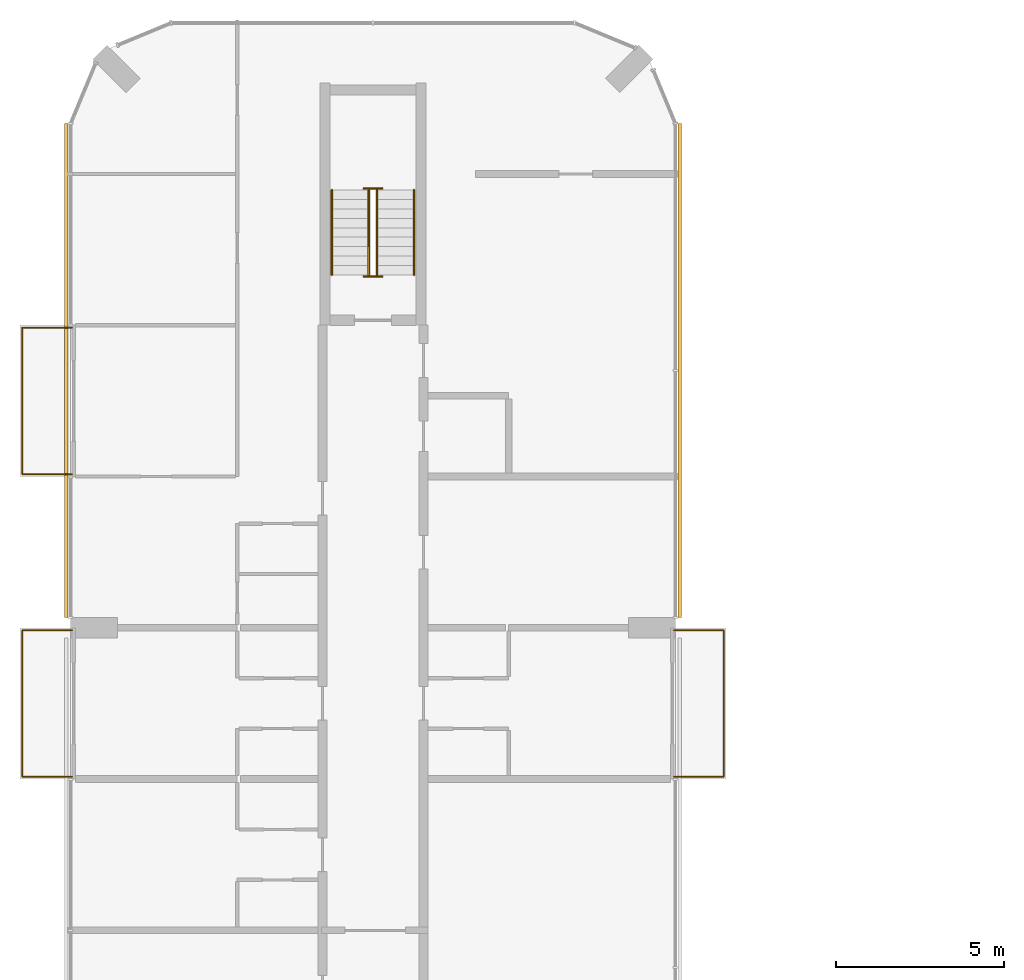
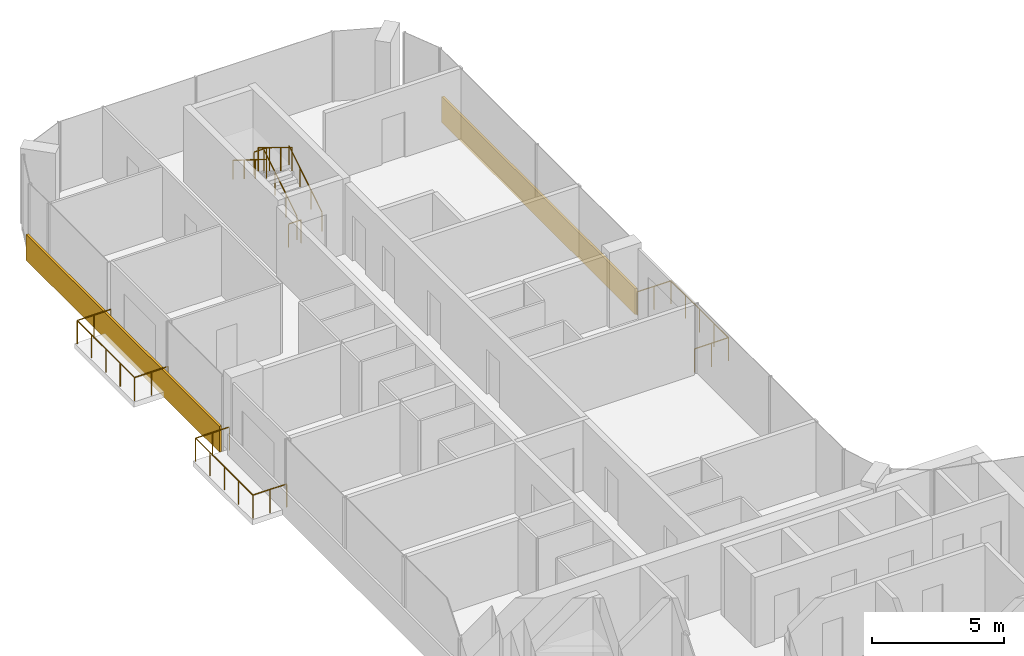
# One storey, part 15 of 15: 9 railings, 2 coverings.
"""IFC4 building model written with IfcOpenShell, lengths in metres."""

from ifc_helpers import new_model, si_unit, direction, frame, origin, origin_2d, place, context, subcontext, project, spatial, rectangle, circle, extrude, material, layer, layer_set, type_object, element, save


model = new_model("IFC4")

# Units and contexts
model_context = context("Model", 3, precision=1e-05, world=origin(), true_north=direction((0.0, 1.0)))
body_context = subcontext(model_context, "Body", "Model", "MODEL_VIEW")
ifc_project = project(units=[si_unit("LENGTHUNIT", "METRE"), si_unit("AREAUNIT", "SQUARE_METRE"), si_unit("VOLUMEUNIT", "CUBIC_METRE"), si_unit("PLANEANGLEUNIT", "RADIAN"), si_unit("MASSUNIT", "GRAM", prefix="KILO")], contexts=[model_context])

# Site, building, storey
site_placement = place(None, origin())
site = spatial("IfcSite", under=ifc_project, at=site_placement, CompositionType="ELEMENT")
building_placement = place(site_placement, origin())
building = spatial("IfcBuilding", under=site, at=building_placement, Name="Plateau Cross Towers", CompositionType="ELEMENT")
storey_placement = place(building_placement, frame((0.0, 0.0, 194.39990234375)))
storey = spatial("IfcBuildingStorey", under=building, at=storey_placement, Name="L50", CompositionType="ELEMENT", Elevation=194.39990234375)

# Railings
ifc_material_1 = material(Name="Stainless steel and toughened glass", Category="steel")
railing_type_1 = type_object("IfcRailingType", Name="Glass balustrade guard 1100", PredefinedType="GUARDRAIL", material=ifc_material_1)
for number, where, name in (
    (1, (0.050048828125, 31.570068359375, 0.0), "Guard guard1"),
    (2, (0.050048828125, 40.570068359375, 0.0), "Guard guard1"),
):
    element("IfcRailing", number, at=place(storey_placement, frame(where)), inside=storey, type_object=railing_type_1, Name=name, PredefinedType="GUARDRAIL", context=body_context, shape_type="SweptSolid", body=[
        extrude(circle(Radius=0.02392578125, at=origin_2d()), frame((0.0, 0.0, 1.076171875), z_axis=(-1.0, 0.0, 0.0), x_axis=(0.0, -1.0, 0.0)), (0.0, 0.0, 1.0), 1.47998046875),
        extrude(circle(Radius=0.02392578125, at=origin_2d()), frame((-1.47998046875, 0.0, 1.076171875), z_axis=(0.0, 1.0, 0.0), x_axis=(-1.0, 0.0, 0.0)), (0.0, 0.0, 1.0), 4.35986328125),
        extrude(circle(Radius=0.02392578125, at=origin_2d()), frame((-1.47998046875, 4.35986328125, 1.076171875), z_axis=(1.0, 0.0, 0.0), x_axis=(0.0, 1.0, 0.0)), (0.0, 0.0, 1.0), 1.47998046875),
        extrude(circle(Radius=0.02099609375, at=origin_2d()), origin(), (0.0, 0.0, 1.0), 1.052001953125),
        extrude(circle(Radius=0.02099609375, at=origin_2d()), frame((-0.739990234375, 0.0, 0.0)), (0.0, 0.0, 1.0), 1.052001953125),
        extrude(circle(Radius=0.02099609375, at=origin_2d()), frame((-1.47998046875, 0.0, 0.0)), (0.0, 0.0, 1.0), 1.052001953125),
        extrude(circle(Radius=0.02099609375, at=origin_2d()), frame((-1.47998046875, 1.08984375, 0.0)), (0.0, 0.0, 1.0), 1.052001953125),
        extrude(circle(Radius=0.02099609375, at=origin_2d()), frame((-1.47998046875, 2.179931640625, 0.0)), (0.0, 0.0, 1.0), 1.052001953125),
        extrude(circle(Radius=0.02099609375, at=origin_2d()), frame((-1.47998046875, 3.27001953125, 0.0)), (0.0, 0.0, 1.0), 1.052001953125),
        extrude(circle(Radius=0.02099609375, at=origin_2d()), frame((-1.47998046875, 4.35986328125, 0.0)), (0.0, 0.0, 1.0), 1.052001953125),
        extrude(circle(Radius=0.02099609375, at=origin_2d()), frame((-0.739990234375, 4.35986328125, 0.0)), (0.0, 0.0, 1.0), 1.052001953125),
        extrude(circle(Radius=0.02099609375, at=origin_2d()), frame((0.0, 4.35986328125, 0.0)), (0.0, 0.0, 1.0), 1.052001953125),
    ])
railing_1_placement = place(storey_placement, frame((17.949951171875, 35.929931640625, 0.0)))
element("IfcRailing", 3, at=railing_1_placement, inside=storey, type_object=railing_type_1, Name="Guard guard1", PredefinedType="GUARDRAIL", context=body_context, shape_type="SweptSolid", body=[
    extrude(circle(Radius=0.02392578125, at=origin_2d()), frame((0.0, 0.0, 1.076171875), z_axis=(1.0, 0.0, 0.0), x_axis=(0.0, 1.0, 0.0)), (0.0, 0.0, 1.0), 1.47998046875),
    extrude(circle(Radius=0.02392578125, at=origin_2d()), frame((1.47998046875, 0.0, 1.076171875), z_axis=(0.0, -1.0, 0.0), x_axis=(1.0, 0.0, 0.0)), (0.0, 0.0, 1.0), 4.35986328125),
    extrude(circle(Radius=0.02392578125, at=origin_2d()), frame((1.47998046875, -4.35986328125, 1.076171875), z_axis=(-1.0, 0.0, 0.0), x_axis=(0.0, -1.0, 0.0)), (0.0, 0.0, 1.0), 1.47998046875),
    extrude(circle(Radius=0.02099609375, at=origin_2d()), origin(), (0.0, 0.0, 1.0), 1.052001953125),
    extrude(circle(Radius=0.02099609375, at=origin_2d()), frame((0.739990234375, 0.0, 0.0)), (0.0, 0.0, 1.0), 1.052001953125),
    extrude(circle(Radius=0.02099609375, at=origin_2d()), frame((1.47998046875, 0.0, 0.0)), (0.0, 0.0, 1.0), 1.052001953125),
    extrude(circle(Radius=0.02099609375, at=origin_2d()), frame((1.47998046875, -1.08984375, 0.0)), (0.0, 0.0, 1.0), 1.052001953125),
    extrude(circle(Radius=0.02099609375, at=origin_2d()), frame((1.47998046875, -2.179931640625, 0.0)), (0.0, 0.0, 1.0), 1.052001953125),
    extrude(circle(Radius=0.02099609375, at=origin_2d()), frame((1.47998046875, -3.27001953125, 0.0)), (0.0, 0.0, 1.0), 1.052001953125),
    extrude(circle(Radius=0.02099609375, at=origin_2d()), frame((1.47998046875, -4.35986328125, 0.0)), (0.0, 0.0, 1.0), 1.052001953125),
    extrude(circle(Radius=0.02099609375, at=origin_2d()), frame((0.739990234375, -4.35986328125, 0.0)), (0.0, 0.0, 1.0), 1.052001953125),
    extrude(circle(Radius=0.02099609375, at=origin_2d()), frame((0.0, -4.35986328125, 0.0)), (0.0, 0.0, 1.0), 1.052001953125),
])
railing_type_2 = type_object("IfcRailingType", Name="RL-GUARD-1100", PredefinedType="GUARDRAIL", material=ifc_material_1)
railing_2_placement = place(storey_placement, frame((9.125, 46.5, 0.175048828125)))
element("IfcRailing", 4, at=railing_2_placement, inside=storey, type_object=railing_type_2, Name="L50 ES-N stair guard 1", PredefinedType="GUARDRAIL", context=body_context, shape_type="SweptSolid", body=[
    extrude(circle(Radius=0.02392578125, at=origin_2d()), frame((0.0, 0.0, 1.076171875), z_axis=(0.0, 0.848007534815, 0.529984170421), x_axis=(-1.0, 0.0, 0.0)), (0.0, 0.0, 1.0), 2.9716796875),
    extrude(circle(Radius=0.02099609375, at=origin_2d()), origin(), (0.0, 0.0, 1.0), 1.052001953125),
    extrude(circle(Radius=0.02099609375, at=origin_2d()), frame((0.0, 0.840087890625, 0.52490234375)), (0.0, 0.0, 1.0), 1.052001953125),
    extrude(circle(Radius=0.02099609375, at=origin_2d()), frame((0.0, 1.679931640625, 1.050048828125)), (0.0, 0.0, 1.0), 1.052001953125),
    extrude(circle(Radius=0.02099609375, at=origin_2d()), frame((0.0, 2.52001953125, 1.574951171875)), (0.0, 0.0, 1.0), 1.052001953125),
])
railing_3_placement = place(storey_placement, frame((9.27490234375, 49.070068359375, 1.75)))
element("IfcRailing", 5, at=railing_3_placement, inside=storey, type_object=railing_type_2, Name="L50 ES-N stair guard 2", PredefinedType="GUARDRAIL", context=body_context, shape_type="SweptSolid", body=[
    extrude(circle(Radius=0.02392578125, at=origin_2d()), frame((0.0, 0.0, 1.076171875), z_axis=(-1.0, 0.0, 0.0), x_axis=(0.0, -1.0, 0.0)), (0.0, 0.0, 1.0), 0.5498046875),
    extrude(circle(Radius=0.02099609375, at=origin_2d()), origin(), (0.0, 0.0, 1.0), 1.052001953125),
    extrude(circle(Radius=0.02099609375, at=origin_2d()), frame((-0.5498046875, 0.0, 0.0)), (0.0, 0.0, 1.0), 1.052001953125),
])
railing_4_placement = place(storey_placement, frame((8.875, 49.02001953125, 1.925048828125)))
element("IfcRailing", 6, at=railing_4_placement, inside=storey, type_object=railing_type_2, Name="L50 ES-N stair guard 3", PredefinedType="GUARDRAIL", context=body_context, shape_type="SweptSolid", body=[
    extrude(circle(Radius=0.02392578125, at=origin_2d()), frame((0.0, 0.0, 1.076171875), z_axis=(0.0, -0.852638500773, 0.522501279423), x_axis=(1.0, 0.0, 0.0)), (0.0, 0.0, 1.0), 3.01416015625),
    extrude(circle(Radius=0.02099609375, at=origin_2d()), origin(), (0.0, 0.0, 1.0), 1.052001953125),
    extrude(circle(Radius=0.02099609375, at=origin_2d()), frame((0.0, -0.856689453125, 0.52490234375)), (0.0, 0.0, 1.0), 1.052001953125),
    extrude(circle(Radius=0.02099609375, at=origin_2d()), frame((0.0, -1.71337890625, 1.050048828125)), (0.0, 0.0, 1.0), 1.052001953125),
    extrude(circle(Radius=0.02099609375, at=origin_2d()), frame((0.0, -2.570068359375, 1.574951171875)), (0.0, 0.0, 1.0), 1.052001953125),
])
railing_5_placement = place(storey_placement, frame((9.27490234375, 46.449951171875, 0.0)))
element("IfcRailing", 7, at=railing_5_placement, inside=storey, type_object=railing_type_2, Name="L50 ES-N stair guard 4", PredefinedType="GUARDRAIL", context=body_context, shape_type="SweptSolid", body=[
    extrude(circle(Radius=0.02392578125, at=origin_2d()), frame((0.0, 0.0, 1.076171875), z_axis=(-1.0, 0.0, 0.0), x_axis=(0.0, -1.0, 0.0)), (0.0, 0.0, 1.0), 0.5498046875),
    extrude(circle(Radius=0.02099609375, at=origin_2d()), origin(), (0.0, 0.0, 1.0), 1.052001953125),
    extrude(circle(Radius=0.02099609375, at=origin_2d()), frame((-0.5498046875, 0.0, 0.0)), (0.0, 0.0, 1.0), 1.052001953125),
])
ifc_material_2 = material(Name="Black anodised aluminium", Category="aluminium")
railing_type_3 = type_object("IfcRailingType", Name="RL-HANDRAIL-900", PredefinedType="HANDRAIL", material=ifc_material_2)
railing_6_placement = place(storey_placement, frame((10.22509765625, 46.5, 0.175048828125)))
element("IfcRailing", 8, at=railing_6_placement, inside=storey, type_object=railing_type_3, Name="L50 ES-N stair handrail 1", PredefinedType="HANDRAIL", context=body_context, shape_type="SweptSolid", body=[
    extrude(circle(Radius=0.02392578125, at=origin_2d()), frame((0.0, 0.0, 0.8759765625), z_axis=(0.0, 0.848007534815, 0.529984170421), x_axis=(-1.0, 0.0, 0.0)), (0.0, 0.0, 1.0), 2.9716796875),
    extrude(circle(Radius=0.02099609375, at=origin_2d()), origin(), (0.0, 0.0, 1.0), 0.851806640625),
    extrude(circle(Radius=0.02099609375, at=origin_2d()), frame((0.0, 0.840087890625, 0.52490234375)), (0.0, 0.0, 1.0), 0.851806640625),
    extrude(circle(Radius=0.02099609375, at=origin_2d()), frame((0.0, 1.679931640625, 1.050048828125)), (0.0, 0.0, 1.0), 0.851806640625),
    extrude(circle(Radius=0.02099609375, at=origin_2d()), frame((0.0, 2.52001953125, 1.574951171875)), (0.0, 0.0, 1.0), 0.851806640625),
])
railing_7_placement = place(storey_placement, frame((7.77490234375, 49.02001953125, 1.925048828125)))
element("IfcRailing", 9, at=railing_7_placement, inside=storey, type_object=railing_type_3, Name="L50 ES-N stair handrail 2", PredefinedType="HANDRAIL", context=body_context, shape_type="SweptSolid", body=[
    extrude(circle(Radius=0.02392578125, at=origin_2d()), frame((0.0, 0.0, 0.8759765625), z_axis=(0.0, -0.848007534815, 0.529984170421), x_axis=(1.0, 0.0, 0.0)), (0.0, 0.0, 1.0), 2.9716796875),
    extrude(circle(Radius=0.02099609375, at=origin_2d()), origin(), (0.0, 0.0, 1.0), 0.851806640625),
    extrude(circle(Radius=0.02099609375, at=origin_2d()), frame((0.0, -0.840087890625, 0.52490234375)), (0.0, 0.0, 1.0), 0.851806640625),
    extrude(circle(Radius=0.02099609375, at=origin_2d()), frame((0.0, -1.679931640625, 1.050048828125)), (0.0, 0.0, 1.0), 0.851806640625),
    extrude(circle(Radius=0.02099609375, at=origin_2d()), frame((0.0, -2.52001953125, 1.574951171875)), (0.0, 0.0, 1.0), 0.851806640625),
])

# Coverings
ifc_material_3 = material(Name="Precast concrete cladding C40/50", Category="concrete")
ifc_layer = layer(ifc_material_3, 0.10009765625)
ifc_layer_set = layer_set([ifc_layer], Name="Precast concrete cladding C40/50")
covering_type = type_object("IfcCoveringType", Name="Spandrel band cladding 100x1200", PredefinedType="CLADDING", material=ifc_layer_set)
for number, where, z_axis, x_axis, name in (
    (10, (18.1201171875, 43.64990234375, -0.25), (0.0, 0.0, 1.0), (0.0, 1.0, 0.0), "Spandrel band"),
    (11, (-0.1201171875, 43.64990234375, -0.25), (0.0, 0.0, 1.0), (0.0, -1.0, 0.0), "Spandrel band"),
):
    element("IfcCovering", number, at=place(storey_placement, frame(where, z_axis=z_axis, x_axis=x_axis)), inside=storey, type_object=covering_type, Name=name, PredefinedType="CLADDING", context=body_context, shape_type="SweptSolid", body=[
        extrude(rectangle(XDim=14.699951171875, YDim=0.10009765625, at=origin_2d()), origin(), (0.0, 0.0, 1.0), 1.199951171875),
    ])

save(model, "model.ifc")
